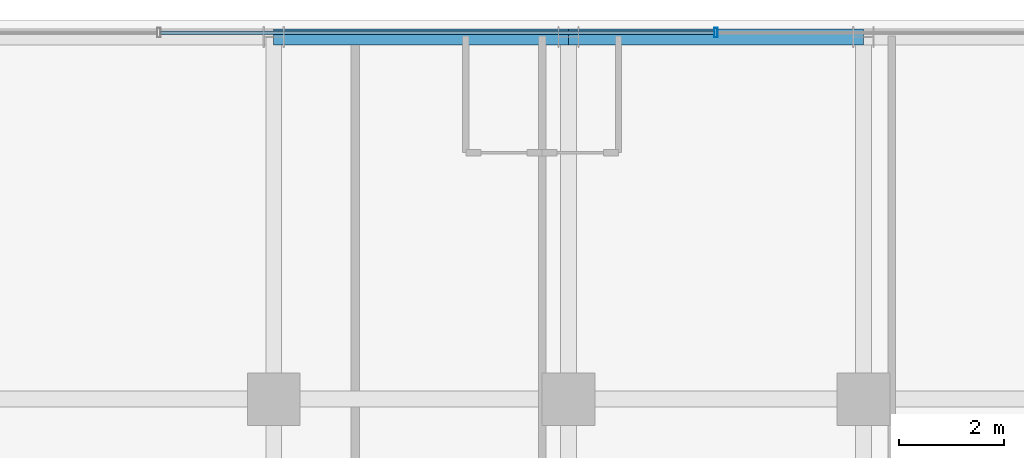
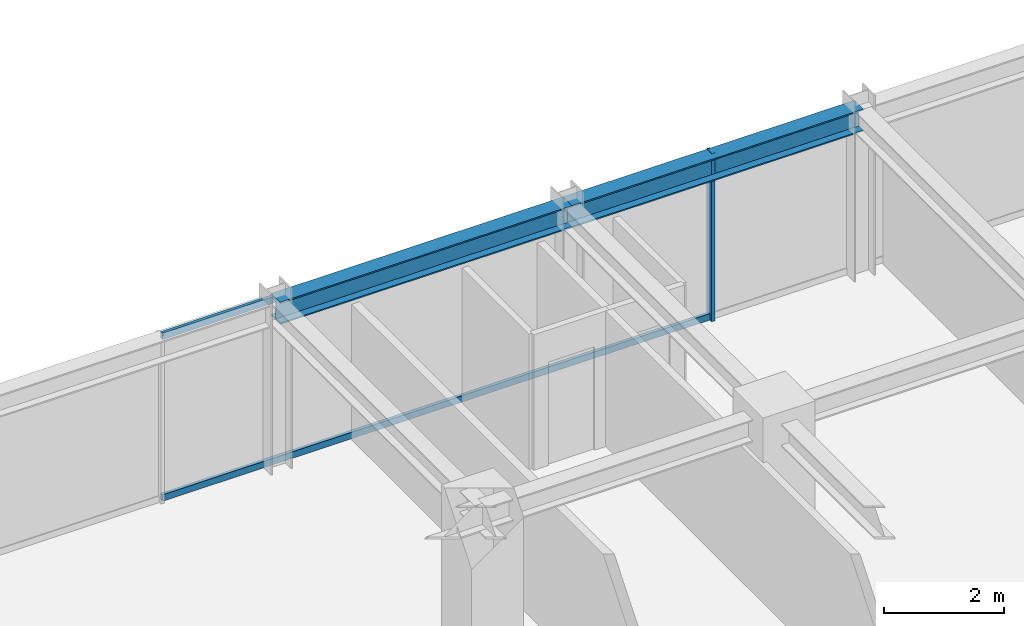
# One storey, part 20 of 32: 3 members, 2 beams, 1 element without a shape of its own.
"""IFC4 building model written with IfcOpenShell, lengths in metres."""

from ifc_helpers import new_model, si_unit, direction, frame, origin, origin_2d, place, context, subcontext, project, spatial, hollow_rectangle, i_section, extrude, source, transform, mapped, material, material_profile, profile_set, type_object, element, aggregate, save


model = new_model("IFC4")

# Units and contexts
model_context = context("Model", 3, precision=1e-05, world=origin(), true_north=direction((0.0, 1.0)))
body_context = subcontext(model_context, "Body", "Model", "MODEL_VIEW")
ifc_project = project(units=[si_unit("LENGTHUNIT", "METRE"), si_unit("AREAUNIT", "SQUARE_METRE"), si_unit("VOLUMEUNIT", "CUBIC_METRE"), si_unit("PLANEANGLEUNIT", "RADIAN"), si_unit("MASSUNIT", "GRAM", prefix="KILO")], contexts=[model_context])

# Site, building, storey
site_placement = place(None, origin())
site = spatial("IfcSite", under=ifc_project, at=site_placement, CompositionType="ELEMENT")
building_placement = place(site_placement, origin())
building = spatial("IfcBuilding", under=site, at=building_placement, Name="Nahalor Promenade Grand Hotel", CompositionType="ELEMENT")
storey_placement = place(building_placement, frame((0.0, 0.0, 230.800048828125)))
storey = spatial("IfcBuildingStorey", under=building, at=storey_placement, Name="L59", CompositionType="ELEMENT", Elevation=230.800048828125)

# Beams
ifc_material_1 = material(Name="Steel S355JR", Category="steel")
ifc_material_profile_1 = material_profile(ifc_material_1, i_section(OverallWidth=0.3, OverallDepth=0.45, WebThickness=0.014, FlangeThickness=0.026, at=origin_2d()), Name="HEB 450")
ifc_profile_set_1 = profile_set([ifc_material_profile_1], Name="Steel S355JR")
beam_type = type_object("IfcBeamType", Name="Beam-Spandrel-HEB450", PredefinedType="SPANDREL", material=ifc_profile_set_1)
shared_shape_1 = source(origin(), body_context, "Body", "SweptSolid", [
    extrude(i_section(OverallWidth=0.3, OverallDepth=0.45, WebThickness=0.014, FlangeThickness=0.026, at=origin_2d()), origin(), (0.0, 0.0, 1.0), 5.599853515625),
])
beam_1_placement = place(storey_placement, frame((-8.39990234375, 23.8798828125, 3.18505859375), z_axis=(1.0, 0.0, 0.0), x_axis=(0.0, 1.0, 0.0)))
element("IfcBeam", 1, at=beam_1_placement, inside=storey, type_object=beam_type, Name="BM-L59-SP-N-1", PredefinedType="SPANDREL", context=body_context, shape_type="MappedRepresentation", body=[
    mapped(shared_shape_1, transform((0.0, 0.0, 0.0), scale=1.0)),
])
shared_shape_2 = source(origin(), body_context, "Body", "SweptSolid", [
    extrude(i_section(OverallWidth=0.3, OverallDepth=0.45, WebThickness=0.014, FlangeThickness=0.026, at=origin_2d()), origin(), (0.0, 0.0, 1.0), 5.60009765625),
])
beam_2_placement = place(storey_placement, frame((-2.800048828125, 23.8798828125, 3.18505859375), z_axis=(1.0, 0.0, 0.0), x_axis=(0.0, 1.0, 0.0)))
element("IfcBeam", 2, at=beam_2_placement, inside=storey, type_object=beam_type, Name="BM-L59-SP-N-2", PredefinedType="SPANDREL", context=body_context, shape_type="MappedRepresentation", body=[
    mapped(shared_shape_2, transform((0.0, 0.0, 0.0), scale=1.0)),
])

# Curtain wall, members
ifc_material_2 = material(Name="Anodised Bronze Aluminium EN AW-6063 T6", Category="aluminium")
curtain_wall_type = type_object("IfcCurtainWallType", Name="CW2 Typical Hotel Flush Bronze Unitised Curtain Wall", PredefinedType="USERDEFINED", material=ifc_material_2)
curtain_wall_placement = place(storey_placement, origin())
curtain_wall = element("IfcCurtainWall", 3, at=curtain_wall_placement, inside=storey, type_object=curtain_wall_type, Name="L59 Curtain Wall CW-L59-N-1", ObjectType="UNITISED_CURTAIN_WALL", PredefinedType="USERDEFINED")
ifc_material_profile_2 = material_profile(ifc_material_2, hollow_rectangle(XDim=0.065, YDim=0.13, WallThickness=0.004, at=origin_2d()), Name="CWT 65x130x4")
ifc_profile_set_2 = profile_set([ifc_material_profile_2], Name="Anodised Bronze Aluminium EN AW-6063 T6")
member_type_1 = type_object("IfcMemberType", Name="CWT2 Typical Bronze Transom 65x130", PredefinedType="USERDEFINED", material=ifc_profile_set_2)
shared_shape_3 = source(origin(), body_context, "Body", "SweptSolid", [
    extrude(hollow_rectangle(XDim=0.065, YDim=0.13, WallThickness=0.004, at=origin_2d()), origin(), (0.0, 0.0, 1.0), 10.51513671875),
])
member_1_placement = place(storey_placement, frame((-10.547607421875, 23.9599609375, 0.06494140625), z_axis=(1.0, 0.0, 0.0), x_axis=(0.0, 1.0, 0.0)))
member_1 = element("IfcMember", 4, at=member_1_placement, type_object=member_type_1, Name="CW-L59-N-1 Transom 1-0", ObjectType="TRANSOM", PredefinedType="USERDEFINED", context=body_context, shape_type="MappedRepresentation", body=[
    mapped(shared_shape_3, transform((0.0, 0.0, 0.0), scale=1.0)),
])
member_2_placement = place(storey_placement, frame((-10.547607421875, 23.9599609375, 3.344970703125), z_axis=(1.0, 0.0, 0.0), x_axis=(0.0, 1.0, 0.0)))
member_2 = element("IfcMember", 5, at=member_2_placement, type_object=member_type_1, Name="CW-L59-N-1 Transom 1-1", ObjectType="TRANSOM", PredefinedType="USERDEFINED", context=body_context, shape_type="MappedRepresentation", body=[
    mapped(shared_shape_3, transform((0.0, 0.0, 0.0), scale=1.0)),
])
ifc_material_profile_3 = material_profile(ifc_material_2, hollow_rectangle(XDim=0.065, YDim=0.18, WallThickness=0.004, at=origin_2d()), Name="CWM 65x180x4")
ifc_profile_set_3 = profile_set([ifc_material_profile_3], Name="Anodised Bronze Aluminium EN AW-6063 T6")
member_type_2 = type_object("IfcMemberType", Name="CWM2 Typical Bronze Mullion 65x180", PredefinedType="MULLION", material=ifc_profile_set_3)
shared_shape_4 = source(origin(), body_context, "Body", "SweptSolid", [
    extrude(hollow_rectangle(XDim=0.065, YDim=0.18, WallThickness=0.004, at=origin_2d()), origin(), (0.0, 0.0, 1.0), 3.409912109375),
])
member_3_placement = place(storey_placement, frame((0.0, 23.9599609375, 0.0), z_axis=(0.0, 0.0, 1.0), x_axis=(1.0, 0.0, 0.0)))
member_3 = element("IfcMember", 6, at=member_3_placement, type_object=member_type_2, Name="CW-L59-N-1 Mullion 2", PredefinedType="MULLION", context=body_context, shape_type="MappedRepresentation", body=[
    mapped(shared_shape_4, transform((0.0, 0.0, 0.0), scale=1.0)),
])
aggregate(curtain_wall, [member_3, member_1, member_2])

save(model, "model.ifc")
